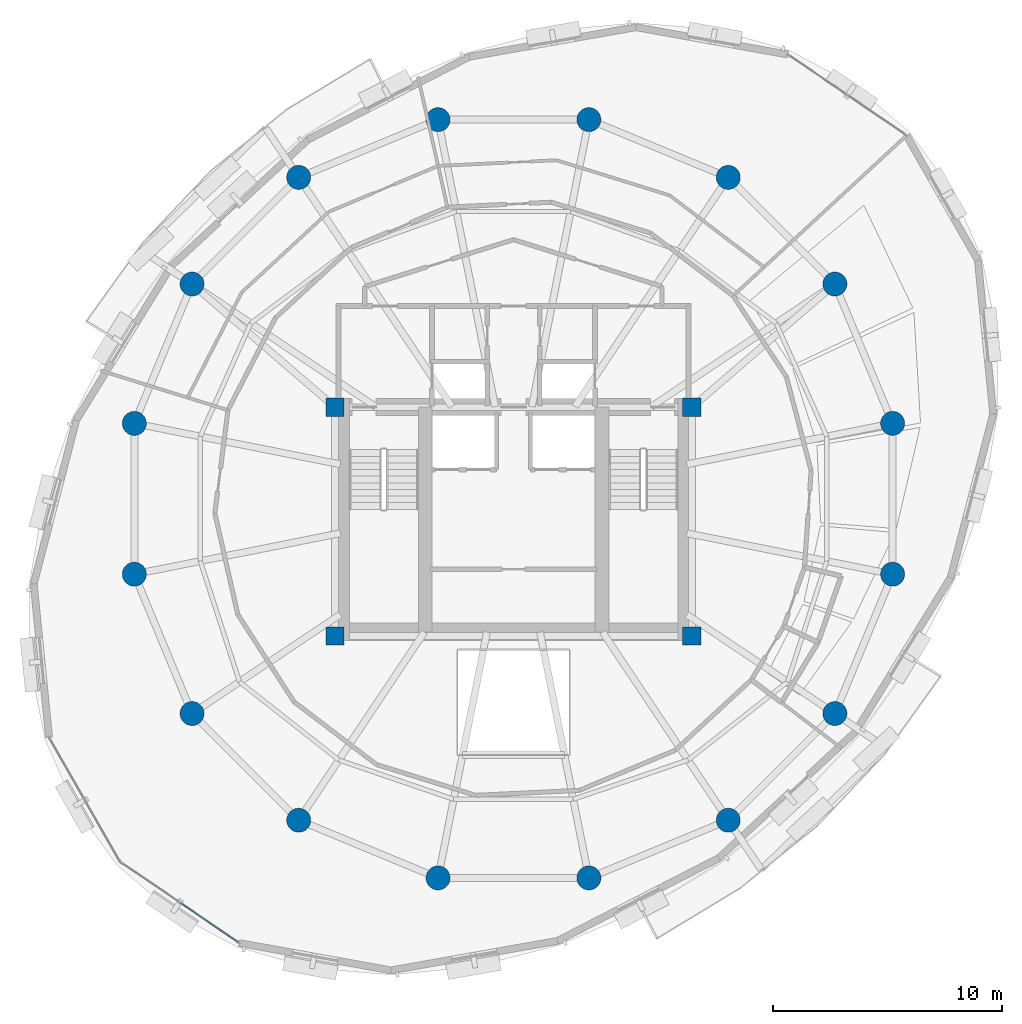
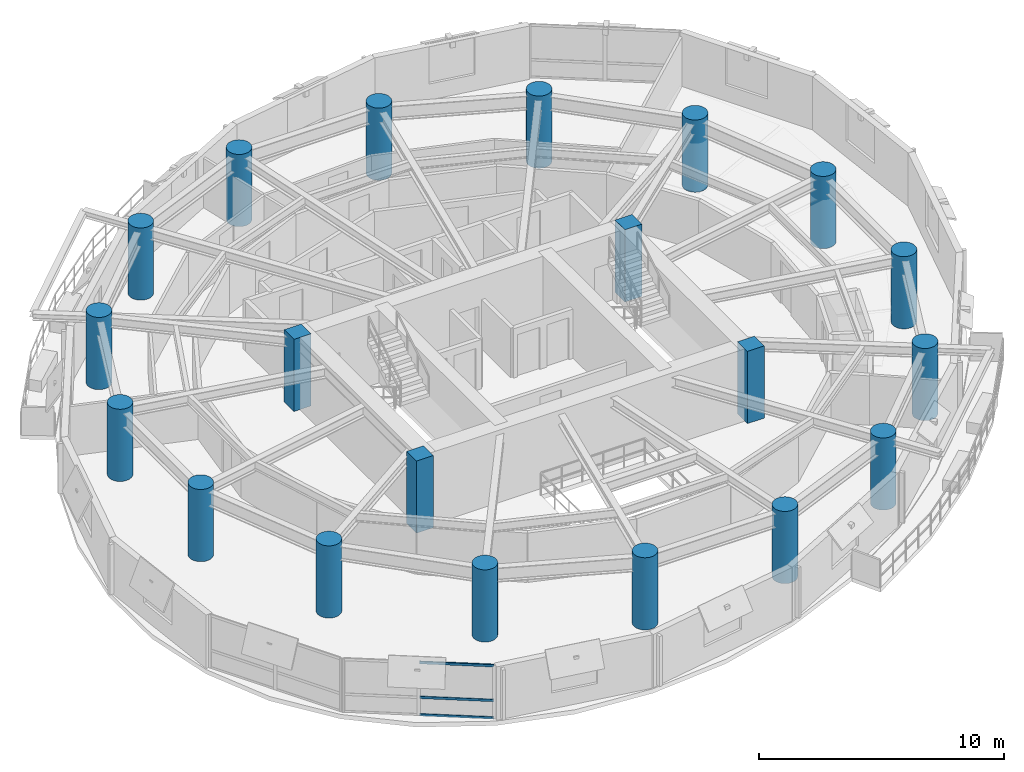
# One storey, part 1 of 12: 20 columns, 3 members, 1 element without a shape of its own.
"""IFC4 building model written with IfcOpenShell, lengths in metres."""

from ifc_helpers import new_model, si_unit, direction, frame, origin, origin_2d, place, context, subcontext, project, spatial, rectangle, hollow_rectangle, circle, extrude, material, layer, layer_set, material_profile, profile_set, type_object, element, aggregate, save


model = new_model("IFC4")

# Units and contexts
model_context = context("Model", 3, precision=1e-05, world=origin(), true_north=direction((0.0, 1.0)))
body_context = subcontext(model_context, "Body", "Model", "MODEL_VIEW")
ifc_project = project(units=[si_unit("LENGTHUNIT", "METRE"), si_unit("AREAUNIT", "SQUARE_METRE"), si_unit("VOLUMEUNIT", "CUBIC_METRE"), si_unit("PLANEANGLEUNIT", "RADIAN"), si_unit("MASSUNIT", "GRAM", prefix="KILO"), si_unit("THERMODYNAMICTEMPERATUREUNIT", "KELVIN"), si_unit("POWERUNIT", "WATT")], contexts=[model_context])

# Site, building, storey
site_placement = place(None, origin())
site = spatial("IfcSite", under=ifc_project, at=site_placement, CompositionType="ELEMENT")
building_placement = place(site_placement, origin())
building = spatial("IfcBuilding", under=site, at=building_placement, Name="Ocrelia Relay Tower", CompositionType="ELEMENT")
storey_placement = place(building_placement, frame((0.0, 0.0, 209.60009765625)))
storey = spatial("IfcBuildingStorey", under=building, at=storey_placement, Name="L51", CompositionType="ELEMENT", Elevation=209.60009765625)

# Columns
ifc_material_1 = material(Name="Concrete C60/75", Category="concrete")
ifc_material_profile_1 = material_profile(ifc_material_1, circle(Radius=0.52490234375, at=origin_2d()), Name="RC-CIR-1050")
ifc_profile_set_1 = profile_set([ifc_material_profile_1], Name="Concrete C60/75")
column_type_1 = type_object("IfcColumnType", Name="COL-CT-1050", PredefinedType="COLUMN", material=ifc_profile_set_1)
for number, where, z_axis, x_axis, name in (
    (1, (50.5751953125, 29.297119140625, 0.0), (0.0, 0.0, 1.0), (1.0, 0.0, 0.0), "L51 Perimeter Ring Column C01"),
    (2, (48.0517578125, 35.38916015625, 0.0), (0.0, 0.0, 1.0), (1.0, 0.0, 0.0), "L51 Perimeter Ring Column C02"),
    (3, (43.38916015625, 40.0517578125, 0.0), (0.0, 0.0, 1.0), (1.0, 0.0, 0.0), "L51 Perimeter Ring Column C03"),
    (4, (37.297119140625, 42.5751953125, 0.0), (0.0, 0.0, 1.0), (1.0, 0.0, 0.0), "L51 Perimeter Ring Column C04"),
    (5, (30.702880859375, 42.5751953125, 0.0), (0.0, 0.0, 1.0), (1.0, 0.0, 0.0), "L51 Perimeter Ring Column C05"),
    (6, (24.61083984375, 40.0517578125, 0.0), (0.0, 0.0, 1.0), (1.0, 0.0, 0.0), "L51 Perimeter Ring Column C06"),
    (7, (19.9482421875, 35.38916015625, 0.0), (0.0, 0.0, 1.0), (1.0, 0.0, 0.0), "L51 Perimeter Ring Column C07"),
    (8, (17.4248046875, 29.297119140625, 0.0), (0.0, 0.0, 1.0), (1.0, 0.0, 0.0), "L51 Perimeter Ring Column C08"),
    (9, (17.4248046875, 22.702880859375, 0.0), (0.0, 0.0, 1.0), (1.0, 0.0, 0.0), "L51 Perimeter Ring Column C09"),
    (10, (19.9482421875, 16.61083984375, 0.0), (0.0, 0.0, 1.0), (1.0, 0.0, 0.0), "L51 Perimeter Ring Column C10"),
    (11, (24.61083984375, 11.9482421875, 0.0), (0.0, 0.0, 1.0), (1.0, 0.0, 0.0), "L51 Perimeter Ring Column C11"),
    (12, (30.702880859375, 9.4248046875, 0.0), (0.0, 0.0, 1.0), (1.0, 0.0, 0.0), "L51 Perimeter Ring Column C12"),
    (13, (37.297119140625, 9.4248046875, 0.0), (0.0, 0.0, 1.0), (1.0, 0.0, 0.0), "L51 Perimeter Ring Column C13"),
    (14, (43.38916015625, 11.9482421875, 0.0), (0.0, 0.0, 1.0), (1.0, 0.0, 0.0), "L51 Perimeter Ring Column C14"),
    (15, (48.0517578125, 16.61083984375, 0.0), (0.0, 0.0, 1.0), (1.0, 0.0, 0.0), "L51 Perimeter Ring Column C15"),
    (16, (50.5751953125, 22.702880859375, 0.0), (0.0, 0.0, 1.0), (1.0, 0.0, 0.0), "L51 Perimeter Ring Column C16"),
):
    element("IfcColumn", number, at=place(storey_placement, frame(where, z_axis=z_axis, x_axis=x_axis)), inside=storey, type_object=column_type_1, Name=name, PredefinedType="COLUMN", context=body_context, shape_type="SweptSolid", body=[
        extrude(circle(Radius=0.52490234375, at=origin_2d()), origin(), (0.0, 0.0, 1.0), 3.599853515625),
    ])
ifc_material_profile_2 = material_profile(ifc_material_1, rectangle(XDim=0.800048828125, YDim=0.800048828125, at=origin_2d()), Name="RC-COL-800x800")
ifc_profile_set_2 = profile_set([ifc_material_profile_2], Name="Concrete C60/75")
column_type_2 = type_object("IfcColumnType", Name="COL-PILASTER-800", PredefinedType="PILASTER", material=ifc_profile_set_2)
for number, where, z_axis, x_axis, name in (
    (17, (26.199951171875, 20.0, 0.0), (0.0, 0.0, 1.0), (1.0, 0.0, 0.0), "L51 Core Corner Pilaster SW"),
    (18, (41.800048828125, 20.0, 0.0), (0.0, 0.0, 1.0), (1.0, 0.0, 0.0), "L51 Core Corner Pilaster SE"),
    (19, (26.199951171875, 30.0, 0.0), (0.0, 0.0, 1.0), (1.0, 0.0, 0.0), "L51 Core Corner Pilaster NW"),
    (20, (41.800048828125, 30.0, 0.0), (0.0, 0.0, 1.0), (1.0, 0.0, 0.0), "L51 Core Corner Pilaster NE"),
):
    element("IfcColumn", number, at=place(storey_placement, frame(where, z_axis=z_axis, x_axis=x_axis)), inside=storey, type_object=column_type_2, Name=name, PredefinedType="PILASTER", context=body_context, shape_type="SweptSolid", body=[
        extrude(rectangle(XDim=0.800048828125, YDim=0.800048828125, at=origin_2d()), origin(), (0.0, 0.0, 1.0), 3.599853515625),
    ])

# Curtain wall, members
ifc_material_2 = material(Name="Aluminium and solar-control low-E glass", Category="aluminium")
ifc_layer = layer(ifc_material_2, 0.179931640625, Name="Aluminium and solar-control low-E glass")
ifc_layer_set = layer_set([ifc_layer], Name="Aluminium and solar-control low-E glass")
curtain_wall_type = type_object("IfcCurtainWallType", Name="CW-SYS-Z3-CLOU", PredefinedType="NOTDEFINED", material=ifc_layer_set)
curtain_wall_placement = place(storey_placement, origin())
curtain_wall = element("IfcCurtainWall", 21, at=curtain_wall_placement, inside=storey, type_object=curtain_wall_type, Name="L51 Elliptical Tower Curtain Wall Bay 10", PredefinedType="NOTDEFINED")
ifc_material_3 = material(Name="Anodised bronze aluminium", Category="aluminium")
ifc_material_profile_3 = material_profile(ifc_material_3, hollow_rectangle(XDim=0.06005859375, YDim=0.1201171875, WallThickness=0.0048828125, at=origin_2d()), Name="CW-TRN-120x60")
ifc_profile_set_3 = profile_set([ifc_material_profile_3], Name="Anodised bronze aluminium")
member_type = type_object("IfcMemberType", Name="CW-SYS-Z3-CLOU-TRN", PredefinedType="USERDEFINED", material=ifc_profile_set_3)
member_1_placement = place(storey_placement, frame((19.439697265625, 8.328857421875, 0.02978515625), z_axis=(0.826405483471, -0.563075462872, 0.0), x_axis=(0.563075462872, 0.826405483471, 0.0)))
member_1 = element("IfcMember", 22, at=member_1_placement, type_object=member_type, Name="CW-Z3 transom 2.1", ObjectType="TRANSOM", PredefinedType="USERDEFINED", context=body_context, shape_type="SweptSolid", body=[
    extrude(hollow_rectangle(XDim=0.06005859375, YDim=0.1201171875, WallThickness=0.0048828125, at=origin_2d()), origin(), (0.0, 0.0, 1.0), 3.043701171875),
])
member_2_placement = place(storey_placement, frame((19.439697265625, 8.328857421875, 0.89990234375), z_axis=(0.826405483471, -0.563075462872, 0.0), x_axis=(0.563075462872, 0.826405483471, 0.0)))
member_2 = element("IfcMember", 23, at=member_2_placement, type_object=member_type, Name="CW-Z3 transom 2.2", ObjectType="TRANSOM", PredefinedType="USERDEFINED", context=body_context, shape_type="SweptSolid", body=[
    extrude(hollow_rectangle(XDim=0.06005859375, YDim=0.1201171875, WallThickness=0.0048828125, at=origin_2d()), origin(), (0.0, 0.0, 1.0), 3.043701171875),
])
member_3_placement = place(storey_placement, frame((19.439697265625, 8.328857421875, 2.6298828125), z_axis=(0.826405483471, -0.563075462872, 0.0), x_axis=(0.563075462872, 0.826405483471, 0.0)))
member_3 = element("IfcMember", 24, at=member_3_placement, type_object=member_type, Name="CW-Z3 transom 2.3", ObjectType="TRANSOM", PredefinedType="USERDEFINED", context=body_context, shape_type="SweptSolid", body=[
    extrude(hollow_rectangle(XDim=0.06005859375, YDim=0.1201171875, WallThickness=0.0048828125, at=origin_2d()), origin(), (0.0, 0.0, 1.0), 3.043701171875),
])
aggregate(curtain_wall, [member_1, member_2, member_3])

save(model, "model.ifc")
